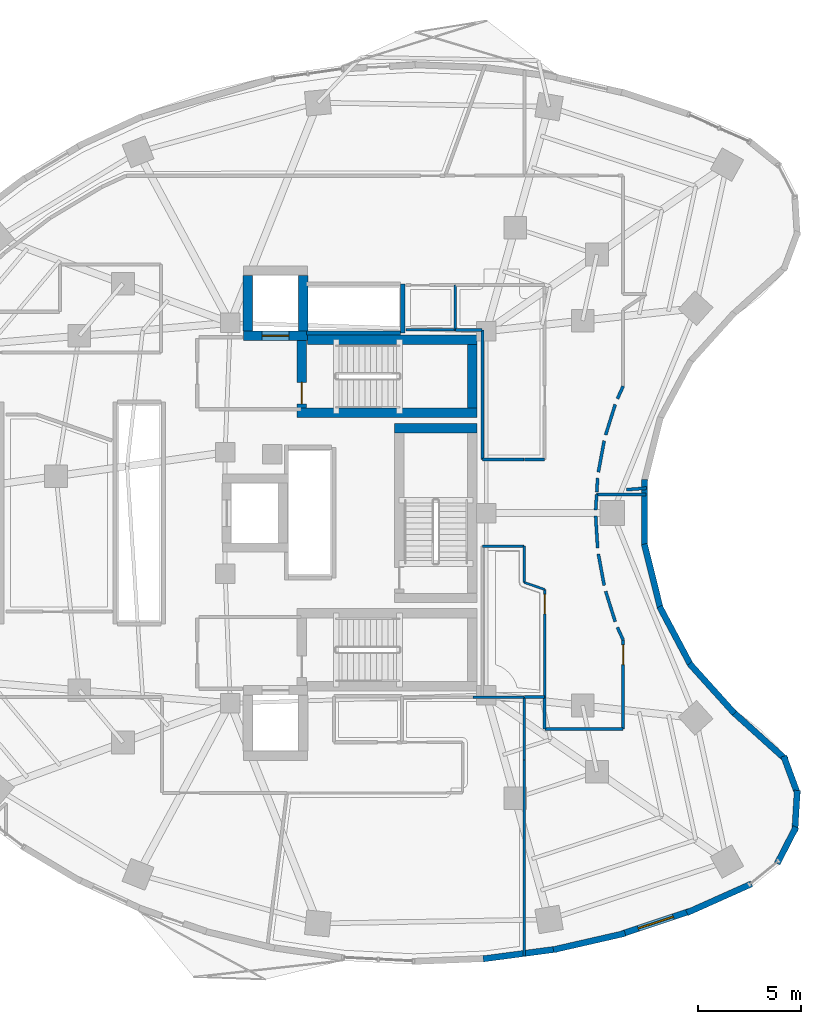
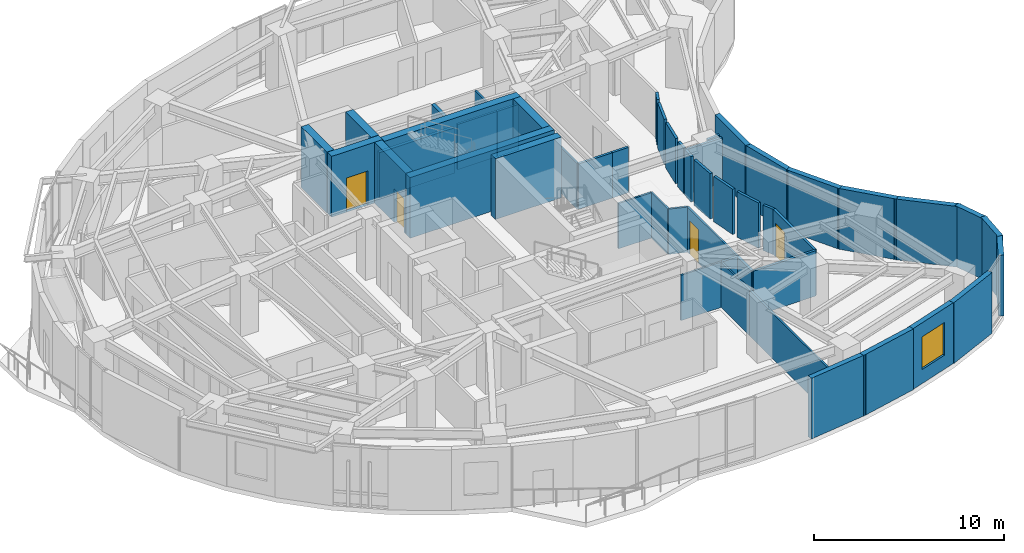
# One storey, part 10 of 15: 50 walls, 4 doors, 1 window, 5 openings.
"""IFC4 building model written with IfcOpenShell, lengths in metres."""

from ifc_helpers import new_model, si_unit, direction, frame, frame_2d, origin, place, context, subcontext, project, spatial, rectangle, extrude, material, layer, layer_set, type_object, element, fill, save


model = new_model("IFC4")

# Units and contexts
model_context = context("Model", 3, precision=1e-05, world=origin(), true_north=direction((0.0, 1.0)))
body_context = subcontext(model_context, "Body", "Model", "MODEL_VIEW")
ifc_project = project(units=[si_unit("LENGTHUNIT", "METRE"), si_unit("AREAUNIT", "SQUARE_METRE"), si_unit("VOLUMEUNIT", "CUBIC_METRE"), si_unit("PLANEANGLEUNIT", "RADIAN"), si_unit("MASSUNIT", "GRAM", prefix="KILO")], contexts=[model_context])

# Site, building, storey
site_placement = place(None, origin())
site = spatial("IfcSite", under=ifc_project, at=site_placement, CompositionType="ELEMENT")
building_placement = place(site_placement, origin())
building = spatial("IfcBuilding", under=site, at=building_placement, Name="Korentha Bioscience Tower", CompositionType="ELEMENT")
storey_placement = place(building_placement, frame((0.0, 0.0, 127.800048828125)))
storey = spatial("IfcBuildingStorey", under=building, at=storey_placement, Name="L29", CompositionType="ELEMENT", Elevation=127.800048828125)

# Wall, opening, door
ifc_material_1 = material(Name="Double-Stud Acoustic Gypsum", Category="gypsum")
ifc_layer_1 = layer(ifc_material_1, 0.14990234375, Name="Double-Stud Acoustic Gypsum")
ifc_layer_set_1 = layer_set([ifc_layer_1], Name="Double-Stud Acoustic Gypsum (IW-L150)")
wall_type_1 = type_object("IfcWallType", Name="Acoustic Laboratory Partition Wall 150", PredefinedType="PARTITIONING", material=ifc_layer_set_1)
wall_1_placement = place(storey_placement, frame((44.2099609375, 16.5, 0.0), z_axis=(0.0, 0.0, 1.0), x_axis=(0.0, 1.0, 0.0)))
wall_1 = element("IfcWall", 1, at=wall_1_placement, inside=storey, type_object=wall_type_1, Name="L29 Staff Pantry Kitchenette 04 Entrance Wall", PredefinedType="PARTITIONING", context=body_context, shape_type="SweptSolid", body=[
    extrude(rectangle(XDim=4.324951171875, YDim=0.14990234375, at=frame_2d((2.16259765625, 0.0))), origin(), (0.0, 0.0, 1.0), 2.909912109375),
])
opening_1_placement = place(wall_1_placement, frame((3.135009765625, 0.0, 0.0)))
opening_1 = element("IfcOpeningElement", 2, at=opening_1_placement, cuts=wall_1, Name="Opening ID-10L", PredefinedType="OPENING", context=body_context, shape_type="SweptSolid", body=[
    extrude(rectangle(XDim=0.949951171875, YDim=2.14990234375, at=frame_2d((0.47509765625, 1.074951171875))), frame((0.0, 0.08984375, 0.0), z_axis=(0.0, -1.0, 0.0), x_axis=(1.0, 0.0, 0.0)), (0.0, 0.0, 1.0), 0.1796875),
])
ifc_material_2 = material(Name="Phenolic Laminate Timber Core", Category="wood")
door_type_1 = type_object("IfcDoorType", Name="Laboratory Single Leaf Door 950x2150 Left", OperationType="SINGLE_SWING_LEFT", PredefinedType="DOOR", material=ifc_material_2)
door_1_placement = place(opening_1_placement, origin())
door_1 = element("IfcDoor", 3, at=door_1_placement, inside=storey, type_object=door_type_1, Name="L29 Staff Pantry Kitchenette 04 Door", OperationType="SINGLE_SWING_LEFT", OverallHeight=2.14990234375, OverallWidth=0.949951171875, PredefinedType="DOOR", context=body_context, shape_type="SweptSolid", body=[
    extrude(rectangle(XDim=0.949951171875, YDim=2.14990234375, at=frame_2d((0.47509765625, 1.074951171875))), frame((0.0, 0.02490234375, 0.0), z_axis=(0.0, -1.0, 0.0), x_axis=(1.0, 0.0, 0.0)), (0.0, 0.0, 1.0), 0.050048828125),
])
fill(opening_1, door_1)

# Walls
wall_2_placement = place(storey_placement, frame((40.389892578125, 18.048095703125, 0.0), z_axis=(0.0, 0.0, 1.0), x_axis=(0.0, -1.0, 0.0)))
element("IfcWall", 4, at=wall_2_placement, inside=storey, type_object=wall_type_1, Name="L29 Interior Partition 045", PredefinedType="PARTITIONING", context=body_context, shape_type="SweptSolid", body=[
    extrude(rectangle(XDim=1.548095703125, YDim=0.14990234375, at=frame_2d((0.77392578125, 0.0))), origin(), (0.0, 0.0, 1.0), 2.909912109375),
])
wall_3_placement = place(storey_placement, frame((40.39990234375, 16.489990234375, 0.0), z_axis=(0.0, 0.0, 1.0), x_axis=(1.0, 0.0, 0.0)))
element("IfcWall", 5, at=wall_3_placement, inside=storey, type_object=wall_type_1, Name="L29 Interior Partition 046", PredefinedType="PARTITIONING", context=body_context, shape_type="SweptSolid", body=[
    extrude(rectangle(XDim=3.800048828125, YDim=0.14990234375, at=frame_2d((1.89990234375, 0.0))), origin(), (0.0, 0.0, 1.0), 2.909912109375),
])
wall_4_placement = place(storey_placement, frame((44.208984375, 20.8291015625, 0.0), z_axis=(0.0, 0.0, 1.0), x_axis=(-0.414377467152, 0.910105111905, 0.0)))
element("IfcWall", 6, at=wall_4_placement, inside=storey, type_object=wall_type_1, Name="L29 Interior Partition 047", PredefinedType="PARTITIONING", context=body_context, shape_type="SweptSolid", body=[
    extrude(rectangle(XDim=0.67236328125, YDim=0.14990234375, at=frame_2d((0.336181640625, 0.0))), origin(), (0.0, 0.0, 1.0), 2.909912109375),
])
wall_5_placement = place(storey_placement, frame((43.823974609375, 21.718017578125, 0.0), z_axis=(0.0, 0.0, 1.0), x_axis=(-0.300641414783, 0.953737248783, 0.0)))
element("IfcWall", 7, at=wall_5_placement, inside=storey, type_object=wall_type_1, Name="L29 Interior Partition 048", PredefinedType="PARTITIONING", context=body_context, shape_type="SweptSolid", body=[
    extrude(rectangle(XDim=1.55029296875, YDim=0.14990234375, at=frame_2d((0.775146484375, 0.0))), origin(), (0.0, 0.0, 1.0), 2.909912109375),
])
wall_6_placement = place(storey_placement, frame((43.285888671875, 23.484619140625, 0.0), z_axis=(0.0, 0.0, 1.0), x_axis=(-0.182168192784, 0.983267384559, 0.0)))
element("IfcWall", 8, at=wall_6_placement, inside=storey, type_object=wall_type_1, Name="L29 Interior Partition 049", PredefinedType="PARTITIONING", context=body_context, shape_type="SweptSolid", body=[
    extrude(rectangle(XDim=1.550537109375, YDim=0.14990234375, at=frame_2d((0.775390625, 0.0))), origin(), (0.0, 0.0, 1.0), 2.909912109375),
])
wall_7_placement = place(storey_placement, frame((42.96728515625, 25.303955078125, 0.0), z_axis=(0.0, 0.0, 1.0), x_axis=(-0.061103659378, 0.99813142562, 0.0)))
element("IfcWall", 9, at=wall_7_placement, inside=storey, type_object=wall_type_1, Name="L29 Interior Partition 050", PredefinedType="PARTITIONING", context=body_context, shape_type="SweptSolid", body=[
    extrude(rectangle(XDim=1.55029296875, YDim=0.14990234375, at=frame_2d((0.775146484375, 0.0))), origin(), (0.0, 0.0, 1.0), 2.909912109375),
])
wall_8_placement = place(storey_placement, frame((42.87255859375, 27.148681640625, 0.0), z_axis=(0.0, 0.0, 1.0), x_axis=(0.061143125985, 0.998129008768, 0.0)))
element("IfcWall", 10, at=wall_8_placement, inside=storey, type_object=wall_type_1, Name="L29 Interior Partition 051", PredefinedType="PARTITIONING", context=body_context, shape_type="SweptSolid", body=[
    extrude(rectangle(XDim=0.750732421875, YDim=0.14990234375, at=frame_2d((0.37548828125, 0.0))), origin(), (0.0, 0.0, 1.0), 2.909912109375),
])
wall_9_placement = place(storey_placement, frame((42.91845703125, 27.89794921875, 0.0), z_axis=(0.0, 0.0, 1.0), x_axis=(1.0, 0.0, 0.0)))
element("IfcWall", 11, at=wall_9_placement, inside=storey, type_object=wall_type_1, Name="L29 Interior Partition 052", PredefinedType="PARTITIONING", context=body_context, shape_type="SweptSolid", body=[
    extrude(rectangle(XDim=2.4140625, YDim=0.14990234375, at=frame_2d((1.20703125, 0.0))), origin(), (0.0, 0.0, 1.0), 2.909912109375),
])
wall_10_placement = place(storey_placement, frame((39.407958984375, 18.048095703125, 0.0), z_axis=(0.0, 0.0, 1.0), x_axis=(1.0, 0.0, 0.0)))
element("IfcWall", 12, at=wall_10_placement, inside=storey, type_object=wall_type_1, Name="L29 Interior Partition 053", PredefinedType="PARTITIONING", context=body_context, shape_type="SweptSolid", body=[
    extrude(rectangle(XDim=0.98193359375, YDim=0.14990234375, at=frame_2d((0.490966796875, 0.0))), origin(), (0.0, 0.0, 1.0), 2.909912109375),
])
wall_11_placement = place(storey_placement, frame((45.349609375, 28.21337890625, 0.0), z_axis=(0.0, 0.0, 1.0), x_axis=(-0.997039830609, -0.076886775058, 0.0)))
element("IfcWall", 13, at=wall_11_placement, inside=storey, type_object=wall_type_1, Name="L29 Interior Partition 058", PredefinedType="PARTITIONING", context=body_context, shape_type="SweptSolid", body=[
    extrude(rectangle(XDim=0.981201171875, YDim=0.14990234375, at=frame_2d((0.49072265625, 0.0))), origin(), (0.0, 0.0, 1.0), 2.909912109375),
])
wall_12_placement = place(storey_placement, frame((42.92626953125, 28.02685546875, 0.0), z_axis=(0.0, 0.0, 1.0), x_axis=(0.061176697513, 0.998126951686, 0.0)))
element("IfcWall", 14, at=wall_12_placement, inside=storey, type_object=wall_type_1, Name="L29 Interior Partition 059", PredefinedType="PARTITIONING", context=body_context, shape_type="SweptSolid", body=[
    extrude(rectangle(XDim=0.67041015625, YDim=0.14990234375, at=frame_2d((0.335205078125, 0.0))), origin(), (0.0, 0.0, 1.0), 2.909912109375),
])
wall_13_placement = place(storey_placement, frame((43.00341796875, 28.99072265625, 0.0), z_axis=(0.0, 0.0, 1.0), x_axis=(0.182168192784, 0.983267384559, 0.0)))
element("IfcWall", 15, at=wall_13_placement, inside=storey, type_object=wall_type_1, Name="L29 Interior Partition 060", PredefinedType="PARTITIONING", context=body_context, shape_type="SweptSolid", body=[
    extrude(rectangle(XDim=1.550537109375, YDim=0.14990234375, at=frame_2d((0.775390625, 0.0))), origin(), (0.0, 0.0, 1.0), 2.909912109375),
])
wall_14_placement = place(storey_placement, frame((43.35791015625, 30.803466796875, 0.0), z_axis=(0.0, 0.0, 1.0), x_axis=(0.300641414783, 0.953737248783, 0.0)))
element("IfcWall", 16, at=wall_14_placement, inside=storey, type_object=wall_type_1, Name="L29 Interior Partition 061", PredefinedType="PARTITIONING", context=body_context, shape_type="SweptSolid", body=[
    extrude(rectangle(XDim=1.55029296875, YDim=0.14990234375, at=frame_2d((0.775146484375, 0.0))), origin(), (0.0, 0.0, 1.0), 2.909912109375),
])
wall_15_placement = place(storey_placement, frame((43.930419921875, 32.55908203125, 0.0), z_axis=(0.0, 0.0, 1.0), x_axis=(0.414377467152, 0.910105111905, 0.0)))
element("IfcWall", 17, at=wall_15_placement, inside=storey, type_object=wall_type_1, Name="L29 Interior Partition 062", PredefinedType="PARTITIONING", context=body_context, shape_type="SweptSolid", body=[
    extrude(rectangle(XDim=0.67236328125, YDim=0.14990234375, at=frame_2d((0.336181640625, 0.0))), origin(), (0.0, 0.0, 1.0), 2.909912109375),
])
wall_16_placement = place(storey_placement, frame((40.389892578125, 29.60205078125, 0.0), z_axis=(0.0, 0.0, 1.0), x_axis=(-1.0, 0.0, 0.0)))
element("IfcWall", 18, at=wall_16_placement, inside=storey, type_object=wall_type_1, Name="L29 Interior Partition 069", PredefinedType="PARTITIONING", context=body_context, shape_type="SweptSolid", body=[
    extrude(rectangle(XDim=0.98779296875, YDim=0.14990234375, at=frame_2d((0.493896484375, 0.0))), origin(), (0.0, 0.0, 1.0), 2.909912109375),
])
wall_17_placement = place(storey_placement, frame((39.39794921875, 29.60205078125, 0.0), z_axis=(0.0, 0.0, 1.0), x_axis=(-1.0, 0.0, 0.0)))
element("IfcWall", 19, at=wall_17_placement, inside=storey, type_object=wall_type_1, Name="L29 Interior Partition 070", PredefinedType="PARTITIONING", context=body_context, shape_type="SweptSolid", body=[
    extrude(rectangle(XDim=2.037841796875, YDim=0.14990234375, at=frame_2d((1.01904296875, 0.0))), origin(), (0.0, 0.0, 1.0), 2.909912109375),
])
wall_18_placement = place(storey_placement, frame((37.360107421875, 29.60205078125, 0.0), z_axis=(0.0, 0.0, 1.0), x_axis=(0.0, 1.0, 0.0)))
element("IfcWall", 20, at=wall_18_placement, inside=storey, type_object=wall_type_1, Name="L29 Interior Partition 071", PredefinedType="PARTITIONING", context=body_context, shape_type="SweptSolid", body=[
    extrude(rectangle(XDim=6.2978515625, YDim=0.14990234375, at=frame_2d((3.14892578125, 0.0))), origin(), (0.0, 0.0, 1.0), 2.909912109375),
])
wall_19_placement = place(storey_placement, frame((37.35009765625, 35.909912109375, 0.0), z_axis=(0.0, 0.0, 1.0), x_axis=(-1.0, 0.0, 0.0)))
element("IfcWall", 21, at=wall_19_placement, inside=storey, type_object=wall_type_1, Name="L29 Interior Partition 072", PredefinedType="PARTITIONING", context=body_context, shape_type="SweptSolid", body=[
    extrude(rectangle(XDim=1.2900390625, YDim=0.14990234375, at=frame_2d((0.64501953125, 0.0))), origin(), (0.0, 0.0, 1.0), 2.909912109375),
])

# Wall, opening, door
ifc_material_3 = material(Name="Fire-Rated Framed Glass", Category="glass")
ifc_layer_2 = layer(ifc_material_3, 0.110107421875, Name="Fire-Rated Framed Glass")
ifc_layer_set_2 = layer_set([ifc_layer_2], Name="Fire-Rated Framed Glass (IW-G110)")
wall_type_2 = type_object("IfcWallType", Name="Demountable Glazed Office Partition 110", PredefinedType="MOVABLE", material=ifc_layer_set_2)
wall_20_placement = place(storey_placement, frame((40.389892578125, 23.28515625, 0.0), z_axis=(0.0, 0.0, 1.0), x_axis=(0.0, -1.0, 0.0)))
wall_20 = element("IfcWall", 22, at=wall_20_placement, inside=storey, type_object=wall_type_2, Name="L29 Visiting Faculty Study Office 05 Entrance Wall", PredefinedType="MOVABLE", context=body_context, shape_type="SweptSolid", body=[
    extrude(rectangle(XDim=5.22705078125, YDim=0.110107421875, at=frame_2d((2.613525390625, 0.0))), origin(), (0.0, 0.0, 1.0), 2.909912109375),
])
opening_2_placement = place(wall_20_placement, frame((0.239990234375, 0.0, 0.0)))
opening_2 = element("IfcOpeningElement", 23, at=opening_2_placement, cuts=wall_20, Name="Opening ID-10R", PredefinedType="OPENING", context=body_context, shape_type="SweptSolid", body=[
    extrude(rectangle(XDim=0.949951171875, YDim=2.14990234375, at=frame_2d((0.47509765625, 1.074951171875))), frame((0.0, 0.06982421875, 0.0), z_axis=(0.0, -1.0, 0.0), x_axis=(1.0, 0.0, 0.0)), (0.0, 0.0, 1.0), 0.139892578125),
])
door_type_2 = type_object("IfcDoorType", Name="Laboratory Single Leaf Door 950x2150 Right", OperationType="SINGLE_SWING_RIGHT", PredefinedType="DOOR", material=ifc_material_2)
door_2_placement = place(opening_2_placement, origin())
door_2 = element("IfcDoor", 24, at=door_2_placement, inside=storey, type_object=door_type_2, Name="L29 Visiting Faculty Study Office 05 Door", OperationType="SINGLE_SWING_RIGHT", OverallHeight=2.14990234375, OverallWidth=0.949951171875, PredefinedType="DOOR", context=body_context, shape_type="SweptSolid", body=[
    extrude(rectangle(XDim=0.949951171875, YDim=2.14990234375, at=frame_2d((0.47509765625, 1.074951171875))), frame((0.0, 0.02490234375, 0.0), z_axis=(0.0, -1.0, 0.0), x_axis=(1.0, 0.0, 0.0)), (0.0, 0.0, 1.0), 0.050048828125),
])
fill(opening_2, door_2)

# Walls
wall_21_placement = place(storey_placement, frame((36.91162109375, 18.048095703125, 0.0), z_axis=(0.0, 0.0, 1.0), x_axis=(1.0, 0.0, 0.0)))
element("IfcWall", 25, at=wall_21_placement, inside=storey, type_object=wall_type_2, Name="L29 Interior Partition 036", PredefinedType="MOVABLE", context=body_context, shape_type="SweptSolid", body=[
    extrude(rectangle(XDim=2.486328125, YDim=0.110107421875, at=frame_2d((1.2431640625, 0.0))), origin(), (0.0, 0.0, 1.0), 2.909912109375),
])
wall_22_placement = place(storey_placement, frame((39.39794921875, 18.0478515625, 0.0), z_axis=(0.0, 0.0, 1.0), x_axis=(0.0, -1.0, 0.0)))
element("IfcWall", 26, at=wall_22_placement, inside=storey, type_object=wall_type_2, Name="L29 Interior Partition 037", PredefinedType="MOVABLE", context=body_context, shape_type="SweptSolid", body=[
    extrude(rectangle(XDim=3.048583984375, YDim=0.110107421875, at=frame_2d((1.5244140625, 0.0))), origin(), (0.0, 0.0, 1.0), 2.909912109375),
])
wall_23_placement = place(storey_placement, frame((39.39794921875, 14.99267578125, 0.0), z_axis=(0.0, 0.0, 1.0), x_axis=(0.0, -1.0, 0.0)))
element("IfcWall", 27, at=wall_23_placement, inside=storey, type_object=wall_type_2, Name="L29 Interior Partition 038", PredefinedType="MOVABLE", context=body_context, shape_type="SweptSolid", body=[
    extrude(rectangle(XDim=9.528564453125, YDim=0.110107421875, at=frame_2d((4.76416015625, 0.0))), origin(), (0.0, 0.0, 1.0), 2.909912109375),
])
wall_24_placement = place(storey_placement, frame((39.402099609375, 23.62548828125, 0.0), z_axis=(0.0, 0.0, 1.0), x_axis=(0.945457381587, -0.325745820547, 0.0)))
element("IfcWall", 28, at=wall_24_placement, inside=storey, type_object=wall_type_2, Name="L29 Interior Partition 054", PredefinedType="MOVABLE", context=body_context, shape_type="SweptSolid", body=[
    extrude(rectangle(XDim=1.044677734375, YDim=0.110107421875, at=frame_2d((0.5224609375, 0.0))), origin(), (0.0, 0.0, 1.0), 2.909912109375),
])
wall_25_placement = place(storey_placement, frame((37.360107421875, 25.389892578125, 0.0), z_axis=(0.0, 0.0, 1.0), x_axis=(1.0, 0.0, 0.0)))
element("IfcWall", 29, at=wall_25_placement, inside=storey, type_object=wall_type_2, Name="L29 Interior Partition 056", PredefinedType="MOVABLE", context=body_context, shape_type="SweptSolid", body=[
    extrude(rectangle(XDim=2.037841796875, YDim=0.110107421875, at=frame_2d((1.01904296875, 0.0))), origin(), (0.0, 0.0, 1.0), 2.909912109375),
])
wall_26_placement = place(storey_placement, frame((39.39794921875, 25.389892578125, 0.0), z_axis=(0.0, 0.0, 1.0), x_axis=(0.0, -1.0, 0.0)))
element("IfcWall", 30, at=wall_26_placement, inside=storey, type_object=wall_type_2, Name="L29 Interior Partition 057", PredefinedType="MOVABLE", context=body_context, shape_type="SweptSolid", body=[
    extrude(rectangle(XDim=1.7587890625, YDim=0.110107421875, at=frame_2d((0.87939453125, 0.0))), origin(), (0.0, 0.0, 1.0), 2.909912109375),
])

# Wall, opening, window
ifc_material_4 = material(Name="Honed Limestone Precast Concrete C40", Category="masonry")
ifc_layer_3 = layer(ifc_material_4, 0.300048828125, Name="Honed Limestone Precast Concrete C40")
ifc_layer_set_3 = layer_set([ifc_layer_3], Name="Honed Limestone Precast Concrete C40 (EW-ST300)")
wall_type_3 = type_object("IfcWallType", Name="Honed Limestone Cavity Spandrel Wall 300", PredefinedType="STANDARD", material=ifc_layer_set_3)
wall_27_placement = place(storey_placement, frame((44.1474609375, 6.537841796875, 0.0), z_axis=(0.0, 0.0, 1.0), x_axis=(0.948949854506, 0.315426970364, 0.0)))
wall_27 = element("IfcWall", 31, at=wall_27_placement, inside=storey, type_object=wall_type_3, Name="L29 Honed Limestone Spandrel Wall 35", PredefinedType="STANDARD", context=body_context, shape_type="SweptSolid", body=[
    extrude(rectangle(XDim=3.47607421875, YDim=0.300048828125, at=frame_2d((1.738037109375, 0.0))), origin(), (0.0, 0.0, 1.0), 3.89990234375),
])
opening_3_placement = place(wall_27_placement, frame((0.838134765625, 0.0, 0.89990234375)))
opening_3 = element("IfcOpeningElement", 32, at=opening_3_placement, cuts=wall_27, Name="Opening WN-01", PredefinedType="OPENING", context=body_context, shape_type="SweptSolid", body=[
    extrude(rectangle(XDim=1.800048828125, YDim=2.10009765625, at=frame_2d((0.89990234375, 1.050048828125))), frame((0.0, 0.1650390625, 0.0), z_axis=(0.0, -1.0, 0.0), x_axis=(1.0, 0.0, 0.0)), (0.0, 0.0, 1.0), 0.329833984375),
])
ifc_material_5 = material(Name="Thermally Broken Aluminium Triple Glazing", Category="aluminium")
window_type = type_object("IfcWindowType", Name="Triple-Glazed Fixed Bioscience Window 1800x2100", PartitioningType="SINGLE_PANEL", PredefinedType="WINDOW", material=ifc_material_5)
window_placement = place(opening_3_placement, origin())
window = element("IfcWindow", 33, at=window_placement, inside=storey, type_object=window_type, Name="L29 Facade Window 35", OverallHeight=2.10009765625, OverallWidth=1.800048828125, PartitioningType="SINGLE_PANEL", PredefinedType="WINDOW", context=body_context, shape_type="SweptSolid", body=[
    extrude(rectangle(XDim=1.800048828125, YDim=2.10009765625, at=frame_2d((0.89990234375, 1.050048828125))), frame((0.0, 0.030029296875, 0.0), z_axis=(0.0, -1.0, 0.0), x_axis=(1.0, 0.0, 0.0)), (0.0, 0.0, 1.0), 0.06005859375),
])
fill(opening_3, window)

# Walls
wall_28_placement = place(storey_placement, frame((37.40234375, 5.319091796875, 0.0), z_axis=(0.0, 0.0, 1.0), x_axis=(0.991372969521, 0.131071107816, 0.0)))
element("IfcWall", 34, at=wall_28_placement, inside=storey, type_object=wall_type_3, Name="L29 Limestone Perimeter Closure Wall 33", PredefinedType="STANDARD", context=body_context, shape_type="SweptSolid", body=[
    extrude(rectangle(XDim=3.615478515625, YDim=0.300048828125, at=frame_2d((1.8076171875, 0.0))), origin(), (0.0, 0.0, 1.0), 3.89990234375),
])
wall_29_placement = place(storey_placement, frame((40.81640625, 5.76220703125, 0.0), z_axis=(0.0, 0.0, 1.0), x_axis=(0.974841550422, 0.222898971669, 0.0)))
element("IfcWall", 35, at=wall_29_placement, inside=storey, type_object=wall_type_3, Name="L29 Limestone Perimeter Closure Wall 34", PredefinedType="STANDARD", context=body_context, shape_type="SweptSolid", body=[
    extrude(rectangle(XDim=3.574951171875, YDim=0.300048828125, at=frame_2d((1.78759765625, 0.0))), origin(), (0.0, 0.0, 1.0), 3.89990234375),
])
wall_30_placement = place(storey_placement, frame((47.309326171875, 7.55859375, 0.0), z_axis=(0.0, 0.0, 1.0), x_axis=(0.912672725317, 0.408691199395, 0.0)))
element("IfcWall", 36, at=wall_30_placement, inside=storey, type_object=wall_type_3, Name="L29 Limestone Perimeter Closure Wall 36", PredefinedType="STANDARD", context=body_context, shape_type="SweptSolid", body=[
    extrude(rectangle(XDim=3.44091796875, YDim=0.300048828125, at=frame_2d((1.720458984375, 0.0))), origin(), (0.0, 0.0, 1.0), 3.89990234375),
])
for number, where, z_axis, x_axis, name in (
    (37, (51.701171875, 9.953125, 0.0), (0.0, 0.0, 1.0), (0.457596540329, 0.889159944149, 0.0), "L29 Limestone Perimeter Closure Wall 38"),
    (38, (52.55859375, 11.522705078125, 0.0), (0.0, 0.0, 1.0), (0.060255200356, 0.998183004679, 0.0), "L29 Limestone Perimeter Closure Wall 39"),
):
    element("IfcWall", number, at=place(storey_placement, frame(where, z_axis=z_axis, x_axis=x_axis)), inside=storey, type_object=wall_type_3, Name=name, PredefinedType="STANDARD", context=body_context, shape_type="SweptSolid", body=[
        extrude(rectangle(XDim=1.99755859375, YDim=0.300048828125, at=frame_2d((0.998779296875, 0.0))), origin(), (0.0, 0.0, 1.0), 3.89990234375),
    ])
wall_31_placement = place(storey_placement, frame((52.710205078125, 13.3046875, 0.0), z_axis=(0.0, 0.0, 1.0), x_axis=(-0.347370087337, 0.937728117539, 0.0)))
element("IfcWall", 39, at=wall_31_placement, inside=storey, type_object=wall_type_3, Name="L29 Limestone Perimeter Closure Wall 40", PredefinedType="STANDARD", context=body_context, shape_type="SweptSolid", body=[
    extrude(rectangle(XDim=1.997314453125, YDim=0.300048828125, at=frame_2d((0.99853515625, 0.0))), origin(), (0.0, 0.0, 1.0), 3.89990234375),
])
wall_32_placement = place(storey_placement, frame((52.14111328125, 14.993896484375, 0.0), z_axis=(0.0, 0.0, 1.0), x_axis=(-0.74255963233, 0.669779958221, 0.0)))
element("IfcWall", 40, at=wall_32_placement, inside=storey, type_object=wall_type_3, Name="L29 Limestone Perimeter Closure Wall 41", PredefinedType="STANDARD", context=body_context, shape_type="SweptSolid", body=[
    extrude(rectangle(XDim=3.5390625, YDim=0.300048828125, at=frame_2d((1.76953125, 0.0))), origin(), (0.0, 0.0, 1.0), 3.89990234375),
])
wall_33_placement = place(storey_placement, frame((49.61572265625, 17.26171875, 0.0), z_axis=(0.0, 0.0, 1.0), x_axis=(-0.669167727967, 0.743111399353, 0.0)))
element("IfcWall", 41, at=wall_33_placement, inside=storey, type_object=wall_type_3, Name="L29 Limestone Perimeter Closure Wall 43", PredefinedType="STANDARD", context=body_context, shape_type="SweptSolid", body=[
    extrude(rectangle(XDim=3.25537109375, YDim=0.300048828125, at=frame_2d((1.627685546875, 0.0))), origin(), (0.0, 0.0, 1.0), 3.89990234375),
])
wall_34_placement = place(storey_placement, frame((47.5087890625, 19.578857421875, 0.0), z_axis=(0.0, 0.0, 1.0), x_axis=(-0.469451284634, 0.882958374645, 0.0)))
element("IfcWall", 42, at=wall_34_placement, inside=storey, type_object=wall_type_3, Name="L29 Limestone Perimeter Closure Wall 45", PredefinedType="STANDARD", context=body_context, shape_type="SweptSolid", body=[
    extrude(rectangle(XDim=3.255615234375, YDim=0.300048828125, at=frame_2d((1.6279296875, 0.0))), origin(), (0.0, 0.0, 1.0), 3.89990234375),
])
wall_35_placement = place(storey_placement, frame((46.025146484375, 22.3369140625, 0.0), z_axis=(0.0, 0.0, 1.0), x_axis=(-0.241900409149, 0.970301083197, 0.0)))
element("IfcWall", 43, at=wall_35_placement, inside=storey, type_object=wall_type_3, Name="L29 Limestone Perimeter Closure Wall 47", PredefinedType="STANDARD", context=body_context, shape_type="SweptSolid", body=[
    extrude(rectangle(XDim=3.255859375, YDim=0.300048828125, at=frame_2d((1.6279296875, 0.0))), origin(), (0.0, 0.0, 1.0), 3.89990234375),
])
wall_36_placement = place(storey_placement, frame((45.252685546875, 25.372314453125, 0.0), z_axis=(0.0, 0.0, 1.0), x_axis=(0.0, 1.0, 0.0)))
element("IfcWall", 44, at=wall_36_placement, inside=storey, type_object=wall_type_3, Name="L29 Limestone Perimeter Closure Wall 49", PredefinedType="STANDARD", context=body_context, shape_type="SweptSolid", body=[
    extrude(rectangle(XDim=3.25537109375, YDim=0.300048828125, at=frame_2d((1.627685546875, 0.0))), origin(), (0.0, 0.0, 1.0), 3.89990234375),
])
ifc_material_6 = material(Name="Autoclaved Aerated Concrete Block C25", Category="concrete")
ifc_layer_4 = layer(ifc_material_6, 0.199951171875, Name="Autoclaved Aerated Concrete Block C25")
ifc_layer_set_4 = layer_set([ifc_layer_4], Name="Autoclaved Aerated Concrete Block C25 (IW-S200)")
wall_type_4 = type_object("IfcWallType", Name="Lift and Riser Shaft Enclosure Wall 200", PredefinedType="PARTITIONING", material=ifc_layer_set_4)
wall_37_placement = place(storey_placement, frame((33.489990234375, 35.760009765625, 0.0), z_axis=(0.0, 0.0, 1.0), x_axis=(0.0, 1.0, 0.0)))
element("IfcWall", 45, at=wall_37_placement, inside=storey, type_object=wall_type_4, Name="L29 Lift Bank OBS Shaft Wall +X", PredefinedType="PARTITIONING", context=body_context, shape_type="SweptSolid", body=[
    extrude(rectangle(XDim=2.3798828125, YDim=0.199951171875, at=frame_2d((1.18994140625, 0.0))), origin(), (0.0, 0.0, 1.0), 2.909912109375),
])
wall_38_placement = place(storey_placement, frame((28.800048828125, 35.760009765625, 0.0), z_axis=(0.0, 0.0, 1.0), x_axis=(1.0, 0.0, 0.0)))
element("IfcWall", 46, at=wall_38_placement, inside=storey, type_object=wall_type_4, Name="L29 Lift Bank OBS Shaft Wall -Y", PredefinedType="PARTITIONING", context=body_context, shape_type="SweptSolid", body=[
    extrude(rectangle(XDim=4.570068359375, YDim=0.199951171875, at=frame_2d((2.28515625, 0.0))), origin(), (0.0, 0.0, 1.0), 2.909912109375),
])
ifc_material_7 = material(Name="Concrete C80", Category="concrete")
ifc_layer_5 = layer(ifc_material_7, 0.449951171875, Name="Concrete C80")
ifc_layer_set_5 = layer_set([ifc_layer_5], Name="Concrete C80 (CW-C80)")
wall_type_5 = type_object("IfcWallType", Name="Lower Core Shear Wall 450", PredefinedType="SHEAR", material=ifc_layer_set_5)
wall_39_placement = place(storey_placement, frame((28.85205078125, 35.425048828125, 0.0), z_axis=(0.0, 0.0, 1.0), x_axis=(1.0, 0.0, 0.0)))
element("IfcWall", 47, at=wall_39_placement, inside=storey, type_object=wall_type_5, Name="L29 Core Shear Wall ST1-N", PredefinedType="SHEAR", context=body_context, shape_type="SweptSolid", body=[
    extrude(rectangle(XDim=8.248046875, YDim=0.449951171875, at=frame_2d((4.1240234375, 0.0))), origin(), (0.0, 0.0, 1.0), 3.89990234375),
])
wall_40_placement = place(storey_placement, frame((28.35009765625, 31.875, 0.0), z_axis=(0.0, 0.0, 1.0), x_axis=(1.0, 0.0, 0.0)))
element("IfcWall", 48, at=wall_40_placement, inside=storey, type_object=wall_type_5, Name="L29 Core Shear Wall ST1-S", PredefinedType="SHEAR", context=body_context, shape_type="SweptSolid", body=[
    extrude(rectangle(XDim=8.75, YDim=0.449951171875, at=frame_2d((4.375, 0.0))), origin(), (0.0, 0.0, 1.0), 3.89990234375),
])
wall_41_placement = place(storey_placement, frame((36.875, 32.110107421875, 0.0), z_axis=(0.0, 0.0, 1.0), x_axis=(0.0, 1.0, 0.0)))
element("IfcWall", 49, at=wall_41_placement, inside=storey, type_object=wall_type_5, Name="L29 Core Shear Wall ST1-E", PredefinedType="SHEAR", context=body_context, shape_type="SweptSolid", body=[
    extrude(rectangle(XDim=3.079833984375, YDim=0.449951171875, at=frame_2d((1.5400390625, 0.0))), origin(), (0.0, 0.0, 1.0), 3.89990234375),
])

# Wall, opening, door
wall_42_placement = place(storey_placement, frame((28.574951171875, 32.110107421875, 0.0), z_axis=(0.0, 0.0, 1.0), x_axis=(0.0, 1.0, 0.0)))
wall_42 = element("IfcWall", 50, at=wall_42_placement, inside=storey, type_object=wall_type_5, Name="L29 Core Shear Wall ST1-W", PredefinedType="SHEAR", context=body_context, shape_type="SweptSolid", body=[
    extrude(rectangle(XDim=3.282958984375, YDim=0.449951171875, at=frame_2d((1.6416015625, 0.0))), origin(), (0.0, 0.0, 1.0), 3.89990234375),
])
opening_4_placement = place(wall_42_placement, frame((0.199951171875, 0.0, 0.0)))
opening_4 = element("IfcOpeningElement", 51, at=opening_4_placement, cuts=wall_42, Name="Opening FD-90R", PredefinedType="OPENING", context=body_context, shape_type="SweptSolid", body=[
    extrude(rectangle(XDim=1.050048828125, YDim=2.14990234375, at=frame_2d((0.52490234375, 1.074951171875))), frame((0.0, 0.23974609375, 0.0), z_axis=(0.0, -1.0, 0.0), x_axis=(1.0, 0.0, 0.0)), (0.0, 0.0, 1.0), 0.479736328125),
])
ifc_material_8 = material(Name="Powder-Coated Fire-Rated Steel", Category="steel")
door_type_3 = type_object("IfcDoorType", Name="Stairwell Fire Exit Door 1050x2150 Right", OperationType="SINGLE_SWING_RIGHT", PredefinedType="DOOR", material=ifc_material_8)
door_3_placement = place(opening_4_placement, origin())
door_3 = element("IfcDoor", 52, at=door_3_placement, inside=storey, type_object=door_type_3, Name="L29 ST-1 Fire Exit Stair Door", OperationType="SINGLE_SWING_RIGHT", OverallHeight=2.14990234375, OverallWidth=1.050048828125, PredefinedType="DOOR", context=body_context, shape_type="SweptSolid", body=[
    extrude(rectangle(XDim=1.050048828125, YDim=2.14990234375, at=frame_2d((0.52490234375, 1.074951171875))), frame((0.0, 0.02490234375, 0.0), z_axis=(0.0, -1.0, 0.0), x_axis=(1.0, 0.0, 0.0)), (0.0, 0.0, 1.0), 0.050048828125),
])
fill(opening_4, door_3)

# Wall
wall_43_placement = place(storey_placement, frame((33.10009765625, 31.125, 0.0), z_axis=(0.0, 0.0, 1.0), x_axis=(1.0, 0.0, 0.0)))
element("IfcWall", 53, at=wall_43_placement, inside=storey, type_object=wall_type_5, Name="L29 Core Shear Wall ST3-N", PredefinedType="SHEAR", context=body_context, shape_type="SweptSolid", body=[
    extrude(rectangle(XDim=4.0, YDim=0.449951171875, at=frame_2d((2.0, 0.0))), origin(), (0.0, 0.0, 1.0), 3.89990234375),
])

# Wall, opening, door
wall_44_placement = place(storey_placement, frame((25.75, 35.6201171875, 0.0), z_axis=(0.0, 0.0, 1.0), x_axis=(1.0, 0.0, 0.0)))
wall_44 = element("IfcWall", 54, at=wall_44_placement, inside=storey, type_object=wall_type_5, Name="L29 Core Shear Wall FFL2-S", PredefinedType="SHEAR", context=body_context, shape_type="SweptSolid", body=[
    extrude(rectangle(XDim=3.10009765625, YDim=0.449951171875, at=frame_2d((1.550048828125, 0.0))), origin(), (0.0, 0.0, 1.0), 3.89990234375),
])
opening_5_placement = place(wall_44_placement, frame((0.89990234375, 0.0, 0.0)))
opening_5 = element("IfcOpeningElement", 55, at=opening_5_placement, cuts=wall_44, Name="Opening LD-13", PredefinedType="OPENING", context=body_context, shape_type="SweptSolid", body=[
    extrude(rectangle(XDim=1.300048828125, YDim=2.199951171875, at=frame_2d((0.64990234375, 1.10009765625))), frame((0.0, 0.23974609375, 0.0), z_axis=(0.0, -1.0, 0.0), x_axis=(1.0, 0.0, 0.0)), (0.0, 0.0, 1.0), 0.479736328125),
])
ifc_material_9 = material(Name="Brushed Stainless Steel 316", Category="steel")
door_type_4 = type_object("IfcDoorType", Name="Service & Firefighting Lift Landing Door 1300x2300", OperationType="DOUBLE_DOOR_SLIDING", PredefinedType="DOOR", material=ifc_material_9)
door_4_placement = place(opening_5_placement, origin())
door_4 = element("IfcDoor", 56, at=door_4_placement, inside=storey, type_object=door_type_4, Name="L29 FFL-2 Sliding Lift Landing Door", OperationType="DOUBLE_DOOR_SLIDING", OverallHeight=2.199951171875, OverallWidth=1.300048828125, PredefinedType="DOOR", context=body_context, shape_type="SweptSolid", body=[
    extrude(rectangle(XDim=1.300048828125, YDim=2.199951171875, at=frame_2d((0.64990234375, 1.10009765625))), frame((0.0, 0.02490234375, 0.0), z_axis=(0.0, -1.0, 0.0), x_axis=(1.0, 0.0, 0.0)), (0.0, 0.0, 1.0), 0.050048828125),
])
fill(opening_5, door_4)

# Walls
for number, where, z_axis, x_axis, name in (
    (57, (25.949951171875, 35.860107421875, 0.0), (0.0, 0.0, 1.0), (0.0, 1.0, 0.0), "L29 Core Shear Wall FFL2-W"),
    (58, (28.64990234375, 35.860107421875, 0.0), (0.0, 0.0, 1.0), (0.0, 1.0, 0.0), "L29 Core Shear Wall FFL2-E"),
):
    element("IfcWall", number, at=place(storey_placement, frame(where, z_axis=z_axis, x_axis=x_axis)), inside=storey, type_object=wall_type_5, Name=name, PredefinedType="SHEAR", context=body_context, shape_type="SweptSolid", body=[
        extrude(rectangle(XDim=2.699951171875, YDim=0.449951171875, at=frame_2d((1.35009765625, 0.0))), origin(), (0.0, 0.0, 1.0), 3.89990234375),
    ])
ifc_material_10 = material(Name="Cement-Board Steel Stud", Category="steel")
ifc_layer_6 = layer(ifc_material_10, 0.1298828125, Name="Cement-Board Steel Stud")
ifc_layer_set_6 = layer_set([ifc_layer_6], Name="Cement-Board Steel Stud (IW-W130)")
wall_type_6 = type_object("IfcWallType", Name="Wet-Area Moisture-Resistant Partition 130", PredefinedType="PARTITIONING", material=ifc_layer_set_6)
wall_45_placement = place(storey_placement, frame((36.050048828125, 35.909912109375, 0.0), z_axis=(0.0, 0.0, 1.0), x_axis=(-1.0, 0.0, 0.0)))
element("IfcWall", 59, at=wall_45_placement, inside=storey, type_object=wall_type_6, Name="L29 Interior Partition 017", PredefinedType="PARTITIONING", context=body_context, shape_type="SweptSolid", body=[
    extrude(rectangle(XDim=2.400146484375, YDim=0.1298828125, at=frame_2d((1.2001953125, 0.0))), origin(), (0.0, 0.0, 1.0), 2.909912109375),
])
wall_46_placement = place(storey_placement, frame((36.050048828125, 38.090087890625, 0.0), z_axis=(0.0, 0.0, 1.0), x_axis=(0.0, -1.0, 0.0)))
element("IfcWall", 60, at=wall_46_placement, inside=storey, type_object=wall_type_6, Name="L29 Interior Partition 018", PredefinedType="PARTITIONING", context=body_context, shape_type="SweptSolid", body=[
    extrude(rectangle(XDim=2.18017578125, YDim=0.1298828125, at=frame_2d((1.090087890625, 0.0))), origin(), (0.0, 0.0, 1.0), 2.909912109375),
])

save(model, "model.ifc")
